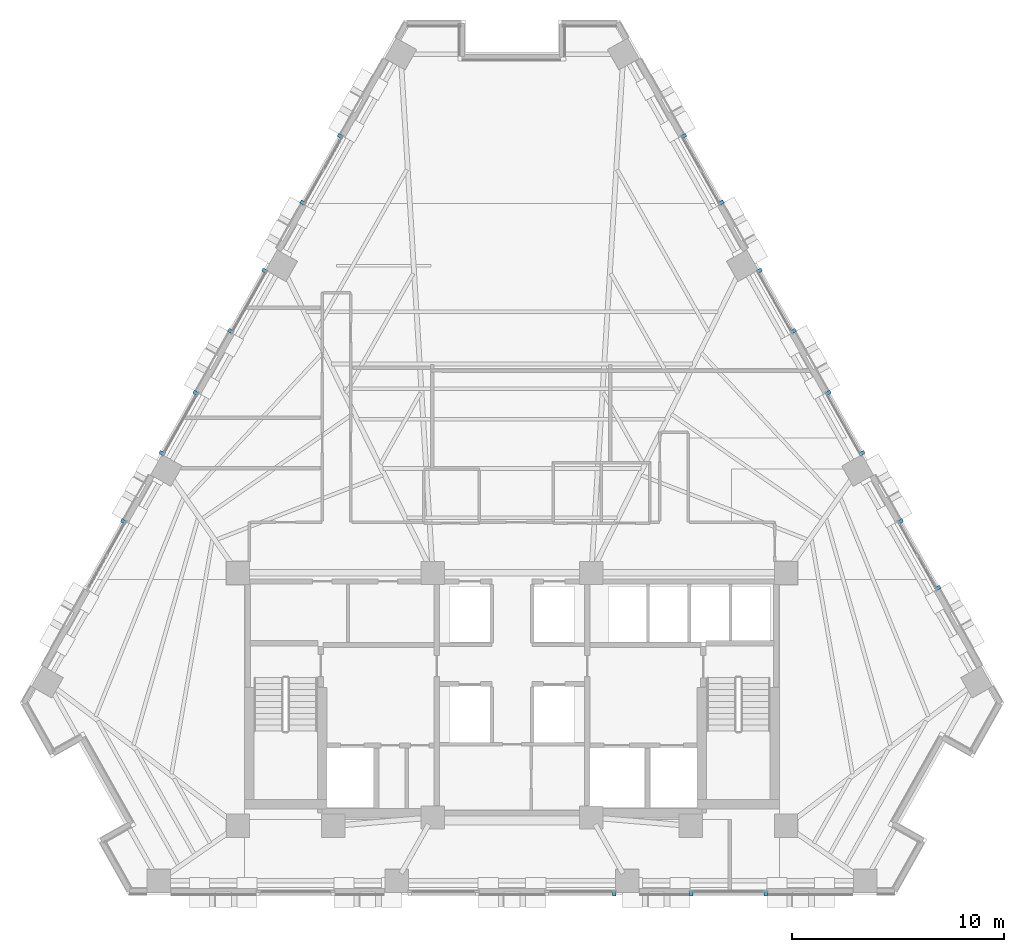
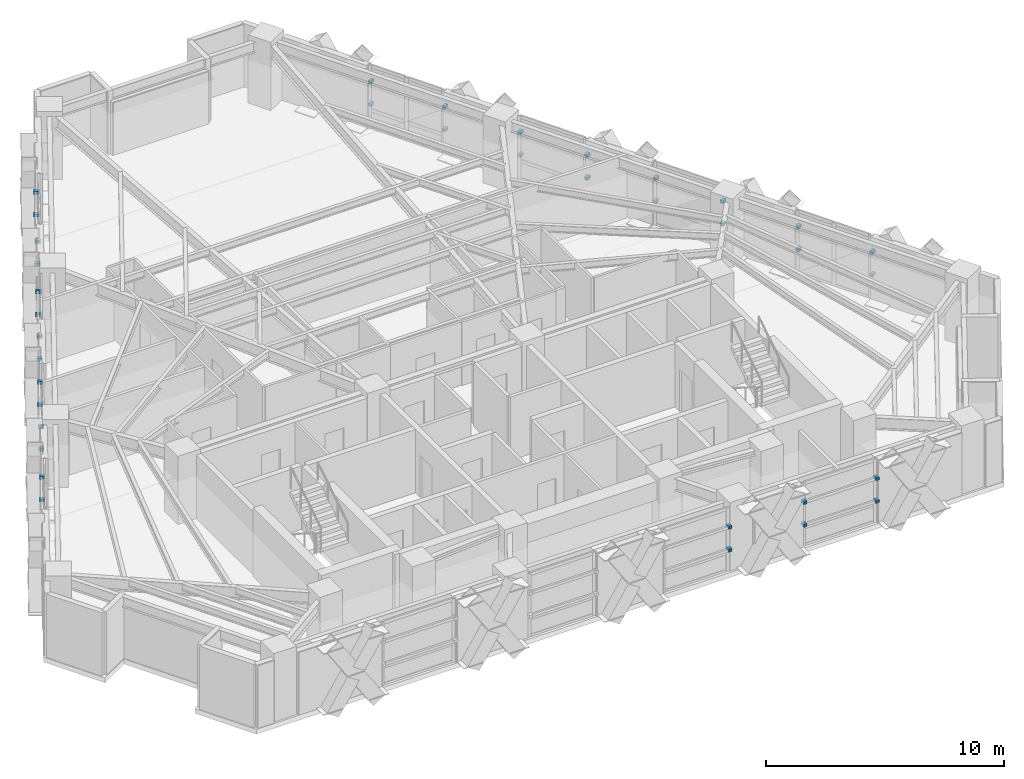
# One storey, part 10 of 14: 36 discrete accessories.
"""IFC4 building model written with IfcOpenShell, lengths in metres."""

import ifcopenshell
import ifcopenshell.guid

model = None  # the IFC model being written
_history = None  # IfcOwnerHistory: only IFC2X3 demands one
_inside = {}  # id of a spatial element -> (the spatial element, [elements in it])
_under = {}  # id of a project, library or spatial element -> (it, [spatial elements below it])
_declared = {}  # id of a project -> (the project, [libraries it declares])
_typed = {}  # id of a type object -> (the type object, [elements of that type])
_made_of = {}  # id of a material, layer set ... -> (it, [elements and type objects made of it])


def new_model(schema):
    """Start an empty IFC model of exactly this schema.

    Asked for "IFC4X3", IfcOpenShell would pick the latest addendum, in which some entities
    have other attributes; the version numbers below select the first issue.
    IFC2X3 requires an IfcOwnerHistory on every rooted entity: one is made here for all.
    """
    global model, _history
    if schema == "IFC4X3":
        model = ifcopenshell.file(schema_version=(4, 3, 0, 0))
    else:
        model = ifcopenshell.file(schema=schema)
    _inside.clear()
    _under.clear()
    _declared.clear()
    _typed.clear()
    _made_of.clear()
    _history = None
    if model.schema == "IFC2X3":
        org = make("IfcOrganization", Name="unknown")
        user = make(
            "IfcPersonAndOrganization",
            ThePerson=make("IfcPerson", FamilyName="unknown"),
            TheOrganization=org,
        )
        app = make(
            "IfcApplication",
            ApplicationDeveloper=org,
            Version="unknown",
            ApplicationFullName="unknown",
            ApplicationIdentifier="unknown",
        )
        _history = make(
            "IfcOwnerHistory",
            OwningUser=user,
            OwningApplication=app,
            ChangeAction="ADDED",
            CreationDate=0,
        )
    return model


def make(cls, **values):
    """One entity of the class cls with the attributes given. An attribute that is None is left unset."""
    return model.create_entity(
        cls, **{name: value for name, value in values.items() if value is not None}
    )


def rooted(cls, **values):
    """An entity with a GlobalId (a new one), such as an element, a storey or a relation."""
    return make(cls, GlobalId=ifcopenshell.guid.new(), OwnerHistory=_history, **values)


def si_unit(unit_type, name, prefix=None):
    """IfcSIUnit, for example si_unit("LENGTHUNIT", "METRE", prefix="MILLI")."""
    return make("IfcSIUnit", UnitType=unit_type, Prefix=prefix, Name=name)


def assignment(units):
    """IfcUnitAssignment: the units of a project."""
    return None if units is None else make("IfcUnitAssignment", Units=units)


def point(xyz):
    """IfcCartesianPoint."""
    return None if xyz is None else make("IfcCartesianPoint", Coordinates=xyz)


def direction(xyz):
    """IfcDirection."""
    return None if xyz is None else make("IfcDirection", DirectionRatios=xyz)


def frame(location, z_axis=None, x_axis=None):
    """IfcAxis2Placement3D, a coordinate frame: its origin and axes. An axis left out is left unset."""
    return make(
        "IfcAxis2Placement3D",
        Location=point(location),
        Axis=direction(z_axis),
        RefDirection=direction(x_axis),
    )


def frame_2d(location, x_axis=None):
    """IfcAxis2Placement2D, a coordinate frame in the plane: its origin and x axis."""
    return make(
        "IfcAxis2Placement2D", Location=point(location), RefDirection=direction(x_axis)
    )


def origin():
    """The frame at (0, 0, 0) with its axes left unset."""
    return frame((0.0, 0.0, 0.0))


def origin_2d():
    """The frame at (0, 0) in the plane with its x axis left unset."""
    return frame_2d((0.0, 0.0))


def place(relative_to, where):
    """IfcLocalPlacement: puts the frame where relative to a parent placement (None: the world)."""
    return make(
        "IfcLocalPlacement", PlacementRelTo=relative_to, RelativePlacement=where
    )


def context(
    kind, dimensions, precision=None, world=None, true_north=None, identifier=None
):
    """IfcGeometricRepresentationContext, for example the 3D "Model" context."""
    return make(
        "IfcGeometricRepresentationContext",
        ContextIdentifier=identifier,
        ContextType=kind,
        CoordinateSpaceDimension=dimensions,
        Precision=precision,
        WorldCoordinateSystem=world,
        TrueNorth=true_north,
    )


def subcontext(parent, identifier, kind, view, scale=None):
    """IfcGeometricRepresentationSubContext, for example "Body" below "Model"."""
    return make(
        "IfcGeometricRepresentationSubContext",
        ContextIdentifier=identifier,
        ContextType=kind,
        ParentContext=parent,
        TargetScale=scale,
        TargetView=view,
    )


def project(units=None, contexts=None):
    """IfcProject with its units and contexts."""
    return rooted(
        "IfcProject",
        Name="project",
        RepresentationContexts=contexts,
        UnitsInContext=assignment(units),
    )


def spatial(cls, under=None, at=None, **own):
    """A site, building, storey or space (cls), placed at a placement, below another one or the project."""
    s = rooted(cls, ObjectPlacement=at, **own)
    if under is not None:
        _under.setdefault(under.id(), (under, []))[1].append(s)
    return s


def profile(cls, at=None, kind="AREA", **sizes):
    """A parametric profile (cls). Its sizes go by their IFC names, for example OverallWidth=200.0."""
    return make(cls, ProfileType=kind, Position=at, **sizes)


def rectangle(**sizes):
    """IfcRectangleProfileDef."""
    return profile("IfcRectangleProfileDef", **sizes)


def extrude(swept, where, along, depth):
    """IfcExtrudedAreaSolid: the profile swept, set in the frame where, extruded along a direction by depth."""
    return make(
        "IfcExtrudedAreaSolid",
        SweptArea=swept,
        Position=where,
        ExtrudedDirection=direction(along),
        Depth=depth,
    )


def shape(context_of_items, identifier, shape_type, items):
    """IfcShapeRepresentation: the items that make up one representation, for example the "Body"."""
    return make(
        "IfcShapeRepresentation",
        ContextOfItems=context_of_items,
        RepresentationIdentifier=identifier,
        RepresentationType=shape_type,
        Items=items,
    )


def material(Name=None, Category=None):
    """IfcMaterial."""
    return make("IfcMaterial", Name=Name, Category=Category)


def made_of(thing, what):
    """Note that an element or type object is made of a material, layer set ...; save() writes the relation."""
    if what is not None:
        _made_of.setdefault(what.id(), (what, []))[1].append(thing)
    return thing


def type_object(cls, material=None, **own):
    """A type object (cls), such as IfcWallType, which elements share."""
    return made_of(rooted(cls, **own), material)


def element(
    cls,
    number,
    at=None,
    inside=None,
    cuts=None,
    type_object=None,
    material=None,
    context=None,
    identifier="Body",
    shape_type=None,
    held_by="IfcProductDefinitionShape",
    body=None,
    shapes=None,
    **own,
):
    """One element of the class cls, such as IfcWall. Its Tag is "e" and its number.

    at: its placement. inside: the storey or other place that contains it. cuts: it is an
    opening in that element (IfcRelVoidsElement). A single representation is given by context,
    identifier, shape_type and body (its items); several are given by shapes. held_by: the class
    of the entity that holds the representations. save() writes the other relations.
    """
    e = rooted(cls, Tag="e%d" % number, ObjectPlacement=at, **own)
    if body is not None:
        shapes = [shape(context, identifier, shape_type, body)]
    if shapes is not None:
        e.Representation = make(held_by, Representations=shapes)
    if inside is not None:
        _inside.setdefault(inside.id(), (inside, []))[1].append(e)
    if cuts is not None:
        rooted(
            "IfcRelVoidsElement", RelatingBuildingElement=cuts, RelatedOpeningElement=e
        )
    if type_object is not None:
        _typed.setdefault(type_object.id(), (type_object, []))[1].append(e)
    return made_of(e, material)


def aggregate(whole, parts):
    """IfcRelAggregates: a whole, such as a stair, and the parts it consists of."""
    return rooted("IfcRelAggregates", RelatingObject=whole, RelatedObjects=parts)


def save(model, path):
    """Write the relations noted so far, then the file.

    IfcRelAggregates (storeys below a building ...), IfcRelContainedInSpatialStructure (elements
    in a storey), IfcRelDefinesByType, IfcRelAssociatesMaterial and IfcRelDeclares: one each for
    every whole, place, type object, material and project.
    """
    for whole, parts in _under.values():
        aggregate(whole, parts)
    for where, things in _inside.values():
        rooted(
            "IfcRelContainedInSpatialStructure",
            RelatedElements=things,
            RelatingStructure=where,
        )
    for kind, things in _typed.values():
        rooted("IfcRelDefinesByType", RelatedObjects=things, RelatingType=kind)
    for what, things in _made_of.values():
        rooted("IfcRelAssociatesMaterial", RelatedObjects=things, RelatingMaterial=what)
    for by, libraries in _declared.values():
        rooted("IfcRelDeclares", RelatingContext=by, RelatedDefinitions=libraries)
    model.write(path)


model = new_model("IFC4")

# Units and contexts
model_context = context("Model", 3, precision=1e-05, world=origin(), true_north=direction((0.0, 1.0)))
body_context = subcontext(model_context, "Body", "Model", "MODEL_VIEW")
ifc_project = project(units=[si_unit("LENGTHUNIT", "METRE"), si_unit("AREAUNIT", "SQUARE_METRE"), si_unit("VOLUMEUNIT", "CUBIC_METRE"), si_unit("PLANEANGLEUNIT", "RADIAN"), si_unit("MASSUNIT", "GRAM", prefix="KILO")], contexts=[model_context])

# Site, building, storey
site_placement = place(None, origin())
site = spatial("IfcSite", under=ifc_project, at=site_placement, CompositionType="ELEMENT")
building_placement = place(site_placement, origin())
building = spatial("IfcBuilding", under=site, at=building_placement, Name="Quenlor Broadcast Tower", CompositionType="ELEMENT")
storey_placement = place(building_placement, frame((0.0, 0.0, 123.0)))
storey = spatial("IfcBuildingStorey", under=building, at=storey_placement, Name="L33", CompositionType="ELEMENT", Elevation=123.0)

# Discrete accessories
ifc_material = material(Name="Aluminium 6063-T6", Category="aluminium")
discrete_accessory_type = type_object("IfcDiscreteAccessoryType", Name="Stainless Mullion Baguette Support Bracket", PredefinedType="BRACKET", material=ifc_material)
for number, where, z_axis, x_axis, name in (
    (1, (11.981689453125, -19.93994140625, 1.10009765625), (0.0, 0.0, 1.0), (-1.0, 0.0, 0.0), "L33 Baguette Mullion Bracket 1.1"),
    (2, (8.47119140625, -19.93994140625, 1.10009765625), (0.0, 0.0, 1.0), (-1.0, 0.0, 0.0), "L33 Baguette Mullion Bracket 1.2"),
    (3, (11.981689453125, -19.93994140625, 2.27001953125), (0.0, 0.0, 1.0), (-1.0, 0.0, 0.0), "L33 Baguette Mullion Bracket 2.1"),
    (4, (8.47119140625, -19.93994140625, 2.27001953125), (0.0, 0.0, 1.0), (-1.0, 0.0, 0.0), "L33 Baguette Mullion Bracket 2.2"),
    (5, (4.835693359375, -19.93994140625, 1.10009765625), (0.0, 0.0, 1.0), (-1.0, 0.0, 0.0), "L33 Baguette Mullion Bracket 1.1"),
    (6, (4.835693359375, -19.93994140625, 2.27001953125), (0.0, 0.0, 1.0), (-1.0, 0.0, 0.0), "L33 Baguette Mullion Bracket 2.1"),
    (7, (8.1181640625, 15.84521484375, 1.10009765625), (0.0, 0.0, 1.0), (0.490264988701, -0.871573428263, 0.0), "L33 Baguette Mullion Bracket 1.1"),
    (8, (9.887939453125, 12.698974609375, 1.10009765625), (0.0, 0.0, 1.0), (0.490264988701, -0.871573428263, 0.0), "L33 Baguette Mullion Bracket 1.2"),
    (9, (8.1181640625, 15.84521484375, 2.27001953125), (0.0, 0.0, 1.0), (0.490264988701, -0.871573428263, 0.0), "L33 Baguette Mullion Bracket 2.1"),
    (10, (9.887939453125, 12.698974609375, 2.27001953125), (0.0, 0.0, 1.0), (0.490264988701, -0.871573428263, 0.0), "L33 Baguette Mullion Bracket 2.2"),
    (11, (18.357421875, -2.35791015625, 1.10009765625), (0.0, 0.0, 1.0), (0.490277158114, -0.871566582787, 0.0), "L33 Baguette Mullion Bracket 1.1"),
    (12, (20.127197265625, -5.504150390625, 1.10009765625), (0.0, 0.0, 1.0), (0.490277158114, -0.871566582787, 0.0), "L33 Baguette Mullion Bracket 1.2"),
    (13, (18.357421875, -2.35791015625, 2.27001953125), (0.0, 0.0, 1.0), (0.490277158114, -0.871566582787, 0.0), "L33 Baguette Mullion Bracket 2.1"),
    (14, (20.127197265625, -5.504150390625, 2.27001953125), (0.0, 0.0, 1.0), (0.490277158114, -0.871566582787, 0.0), "L33 Baguette Mullion Bracket 2.2"),
    (15, (11.69873046875, 9.4794921875, 1.10009765625), (0.0, 0.0, 1.0), (0.490261946333, -0.871575139605, 0.0), "L33 Baguette Mullion Bracket 1.1"),
    (16, (13.301025390625, 6.63134765625, 1.10009765625), (0.0, 0.0, 1.0), (0.490261946333, -0.871575139605, 0.0), "L33 Baguette Mullion Bracket 1.2"),
    (17, (11.69873046875, 9.4794921875, 2.27001953125), (0.0, 0.0, 1.0), (0.490261946333, -0.871575139605, 0.0), "L33 Baguette Mullion Bracket 2.1"),
    (18, (13.301025390625, 6.63134765625, 2.27001953125), (0.0, 0.0, 1.0), (0.490261946333, -0.871575139605, 0.0), "L33 Baguette Mullion Bracket 2.2"),
    (19, (14.9443359375, 3.7099609375, 1.10009765625), (0.0, 0.0, 1.0), (0.490261946333, -0.871575139605, 0.0), "L33 Baguette Mullion Bracket 1.1"),
    (20, (16.54638671875, 0.86181640625, 1.10009765625), (0.0, 0.0, 1.0), (0.490261946333, -0.871575139605, 0.0), "L33 Baguette Mullion Bracket 1.2"),
    (21, (14.9443359375, 3.7099609375, 2.27001953125), (0.0, 0.0, 1.0), (0.490261946333, -0.871575139605, 0.0), "L33 Baguette Mullion Bracket 2.1"),
    (22, (16.54638671875, 0.86181640625, 2.27001953125), (0.0, 0.0, 1.0), (0.490261946333, -0.871575139605, 0.0), "L33 Baguette Mullion Bracket 2.2"),
    (23, (-18.357421875, -2.35791015625, 1.10009765625), (0.0, 0.0, 1.0), (0.490277158114, 0.871566582787, 0.0), "L33 Baguette Mullion Bracket 1.2"),
    (24, (-18.357421875, -2.35791015625, 2.27001953125), (0.0, 0.0, 1.0), (0.490277158114, 0.871566582787, 0.0), "L33 Baguette Mullion Bracket 2.2"),
    (25, (-9.887939453125, 12.698974609375, 1.10009765625), (0.0, 0.0, 1.0), (0.490264988701, 0.871573428263, 0.0), "L33 Baguette Mullion Bracket 1.1"),
    (26, (-8.1181640625, 15.84521484375, 1.10009765625), (0.0, 0.0, 1.0), (0.490264988701, 0.871573428263, 0.0), "L33 Baguette Mullion Bracket 1.2"),
    (27, (-9.887939453125, 12.698974609375, 2.27001953125), (0.0, 0.0, 1.0), (0.490264988701, 0.871573428263, 0.0), "L33 Baguette Mullion Bracket 2.1"),
    (28, (-8.1181640625, 15.84521484375, 2.27001953125), (0.0, 0.0, 1.0), (0.490264988701, 0.871573428263, 0.0), "L33 Baguette Mullion Bracket 2.2"),
    (29, (-16.54638671875, 0.86181640625, 1.10009765625), (0.0, 0.0, 1.0), (0.490261946333, 0.871575139605, 0.0), "L33 Baguette Mullion Bracket 1.1"),
    (30, (-14.9443359375, 3.7099609375, 1.10009765625), (0.0, 0.0, 1.0), (0.490261946333, 0.871575139605, 0.0), "L33 Baguette Mullion Bracket 1.2"),
    (31, (-16.54638671875, 0.86181640625, 2.27001953125), (0.0, 0.0, 1.0), (0.490261946333, 0.871575139605, 0.0), "L33 Baguette Mullion Bracket 2.1"),
    (32, (-14.9443359375, 3.7099609375, 2.27001953125), (0.0, 0.0, 1.0), (0.490261946333, 0.871575139605, 0.0), "L33 Baguette Mullion Bracket 2.2"),
    (33, (-13.301025390625, 6.63134765625, 1.10009765625), (0.0, 0.0, 1.0), (0.490261946333, 0.871575139605, 0.0), "L33 Baguette Mullion Bracket 1.1"),
    (34, (-11.69873046875, 9.4794921875, 1.10009765625), (0.0, 0.0, 1.0), (0.490261946333, 0.871575139605, 0.0), "L33 Baguette Mullion Bracket 1.2"),
    (35, (-13.301025390625, 6.63134765625, 2.27001953125), (0.0, 0.0, 1.0), (0.490261946333, 0.871575139605, 0.0), "L33 Baguette Mullion Bracket 2.1"),
    (36, (-11.69873046875, 9.4794921875, 2.27001953125), (0.0, 0.0, 1.0), (0.490261946333, 0.871575139605, 0.0), "L33 Baguette Mullion Bracket 2.2"),
):
    element("IfcDiscreteAccessory", number, at=place(storey_placement, frame(where, z_axis=z_axis, x_axis=x_axis)), inside=storey, type_object=discrete_accessory_type, Name=name, PredefinedType="BRACKET", context=body_context, shape_type="SweptSolid", body=[
        extrude(rectangle(XDim=0.159912109375, YDim=0.239990234375, at=origin_2d()), origin(), (0.0, 0.0, 1.0), 0.139892578125),
    ])

save(model, "model.ifc")
